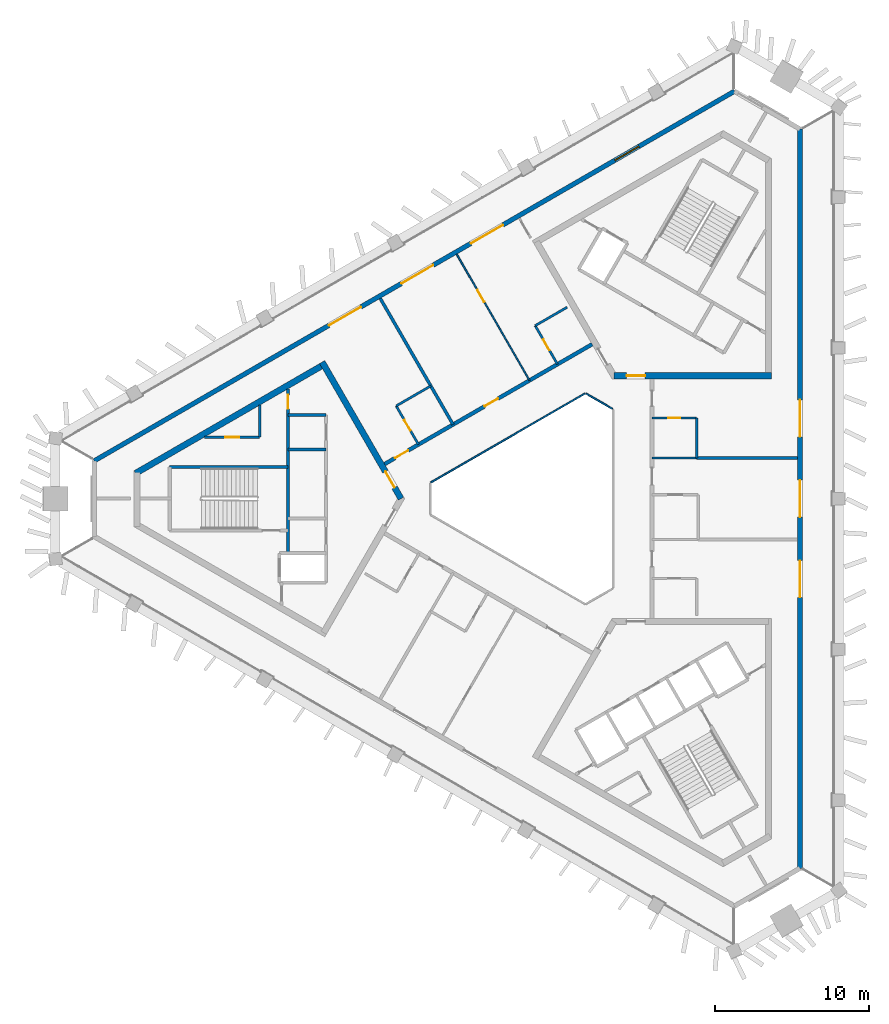
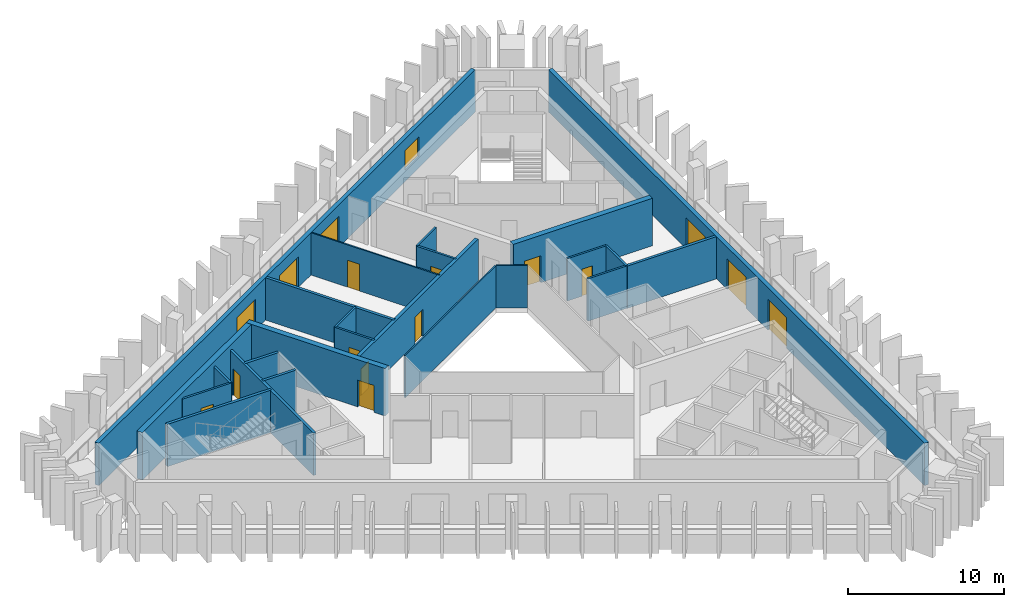
# One storey, part 4 of 10: 24 walls, 16 doors, 1 window, 17 openings.
"""IFC4 building model written with IfcOpenShell, lengths in metres."""

import ifcopenshell
import ifcopenshell.guid

model = None  # the IFC model being written
_history = None  # IfcOwnerHistory: only IFC2X3 demands one
_inside = {}  # id of a spatial element -> (the spatial element, [elements in it])
_under = {}  # id of a project, library or spatial element -> (it, [spatial elements below it])
_declared = {}  # id of a project -> (the project, [libraries it declares])
_typed = {}  # id of a type object -> (the type object, [elements of that type])
_made_of = {}  # id of a material, layer set ... -> (it, [elements and type objects made of it])


def new_model(schema):
    """Start an empty IFC model of exactly this schema.

    Asked for "IFC4X3", IfcOpenShell would pick the latest addendum, in which some entities
    have other attributes; the version numbers below select the first issue.
    IFC2X3 requires an IfcOwnerHistory on every rooted entity: one is made here for all.
    """
    global model, _history
    if schema == "IFC4X3":
        model = ifcopenshell.file(schema_version=(4, 3, 0, 0))
    else:
        model = ifcopenshell.file(schema=schema)
    _inside.clear()
    _under.clear()
    _declared.clear()
    _typed.clear()
    _made_of.clear()
    _history = None
    if model.schema == "IFC2X3":
        org = make("IfcOrganization", Name="unknown")
        user = make(
            "IfcPersonAndOrganization",
            ThePerson=make("IfcPerson", FamilyName="unknown"),
            TheOrganization=org,
        )
        app = make(
            "IfcApplication",
            ApplicationDeveloper=org,
            Version="unknown",
            ApplicationFullName="unknown",
            ApplicationIdentifier="unknown",
        )
        _history = make(
            "IfcOwnerHistory",
            OwningUser=user,
            OwningApplication=app,
            ChangeAction="ADDED",
            CreationDate=0,
        )
    return model


def make(cls, **values):
    """One entity of the class cls with the attributes given. An attribute that is None is left unset."""
    return model.create_entity(
        cls, **{name: value for name, value in values.items() if value is not None}
    )


def rooted(cls, **values):
    """An entity with a GlobalId (a new one), such as an element, a storey or a relation."""
    return make(cls, GlobalId=ifcopenshell.guid.new(), OwnerHistory=_history, **values)


def si_unit(unit_type, name, prefix=None):
    """IfcSIUnit, for example si_unit("LENGTHUNIT", "METRE", prefix="MILLI")."""
    return make("IfcSIUnit", UnitType=unit_type, Prefix=prefix, Name=name)


def assignment(units):
    """IfcUnitAssignment: the units of a project."""
    return None if units is None else make("IfcUnitAssignment", Units=units)


def point(xyz):
    """IfcCartesianPoint."""
    return None if xyz is None else make("IfcCartesianPoint", Coordinates=xyz)


def direction(xyz):
    """IfcDirection."""
    return None if xyz is None else make("IfcDirection", DirectionRatios=xyz)


def frame(location, z_axis=None, x_axis=None):
    """IfcAxis2Placement3D, a coordinate frame: its origin and axes. An axis left out is left unset."""
    return make(
        "IfcAxis2Placement3D",
        Location=point(location),
        Axis=direction(z_axis),
        RefDirection=direction(x_axis),
    )


def frame_2d(location, x_axis=None):
    """IfcAxis2Placement2D, a coordinate frame in the plane: its origin and x axis."""
    return make(
        "IfcAxis2Placement2D", Location=point(location), RefDirection=direction(x_axis)
    )


def origin():
    """The frame at (0, 0, 0) with its axes left unset."""
    return frame((0.0, 0.0, 0.0))


def place(relative_to, where):
    """IfcLocalPlacement: puts the frame where relative to a parent placement (None: the world)."""
    return make(
        "IfcLocalPlacement", PlacementRelTo=relative_to, RelativePlacement=where
    )


def context(
    kind, dimensions, precision=None, world=None, true_north=None, identifier=None
):
    """IfcGeometricRepresentationContext, for example the 3D "Model" context."""
    return make(
        "IfcGeometricRepresentationContext",
        ContextIdentifier=identifier,
        ContextType=kind,
        CoordinateSpaceDimension=dimensions,
        Precision=precision,
        WorldCoordinateSystem=world,
        TrueNorth=true_north,
    )


def subcontext(parent, identifier, kind, view, scale=None):
    """IfcGeometricRepresentationSubContext, for example "Body" below "Model"."""
    return make(
        "IfcGeometricRepresentationSubContext",
        ContextIdentifier=identifier,
        ContextType=kind,
        ParentContext=parent,
        TargetScale=scale,
        TargetView=view,
    )


def project(units=None, contexts=None):
    """IfcProject with its units and contexts."""
    return rooted(
        "IfcProject",
        Name="project",
        RepresentationContexts=contexts,
        UnitsInContext=assignment(units),
    )


def spatial(cls, under=None, at=None, **own):
    """A site, building, storey or space (cls), placed at a placement, below another one or the project."""
    s = rooted(cls, ObjectPlacement=at, **own)
    if under is not None:
        _under.setdefault(under.id(), (under, []))[1].append(s)
    return s


def profile(cls, at=None, kind="AREA", **sizes):
    """A parametric profile (cls). Its sizes go by their IFC names, for example OverallWidth=200.0."""
    return make(cls, ProfileType=kind, Position=at, **sizes)


def rectangle(**sizes):
    """IfcRectangleProfileDef."""
    return profile("IfcRectangleProfileDef", **sizes)


def extrude(swept, where, along, depth):
    """IfcExtrudedAreaSolid: the profile swept, set in the frame where, extruded along a direction by depth."""
    return make(
        "IfcExtrudedAreaSolid",
        SweptArea=swept,
        Position=where,
        ExtrudedDirection=direction(along),
        Depth=depth,
    )


def shape(context_of_items, identifier, shape_type, items):
    """IfcShapeRepresentation: the items that make up one representation, for example the "Body"."""
    return make(
        "IfcShapeRepresentation",
        ContextOfItems=context_of_items,
        RepresentationIdentifier=identifier,
        RepresentationType=shape_type,
        Items=items,
    )


def material(Name=None, Category=None):
    """IfcMaterial."""
    return make("IfcMaterial", Name=Name, Category=Category)


def layer(
    of_material, thickness, ventilated=None, Name=None, Category=None, Priority=None
):
    """IfcMaterialLayer: one layer of a wall or slab, of a material (None: an air gap)."""
    return make(
        "IfcMaterialLayer",
        Material=of_material,
        LayerThickness=thickness,
        IsVentilated=ventilated,
        Name=Name,
        Category=Category,
        Priority=Priority,
    )


def layer_set(layers, Name=None):
    """IfcMaterialLayerSet."""
    return make("IfcMaterialLayerSet", MaterialLayers=layers, LayerSetName=Name)


def made_of(thing, what):
    """Note that an element or type object is made of a material, layer set ...; save() writes the relation."""
    if what is not None:
        _made_of.setdefault(what.id(), (what, []))[1].append(thing)
    return thing


def type_object(cls, material=None, **own):
    """A type object (cls), such as IfcWallType, which elements share."""
    return made_of(rooted(cls, **own), material)


def element(
    cls,
    number,
    at=None,
    inside=None,
    cuts=None,
    type_object=None,
    material=None,
    context=None,
    identifier="Body",
    shape_type=None,
    held_by="IfcProductDefinitionShape",
    body=None,
    shapes=None,
    **own,
):
    """One element of the class cls, such as IfcWall. Its Tag is "e" and its number.

    at: its placement. inside: the storey or other place that contains it. cuts: it is an
    opening in that element (IfcRelVoidsElement). A single representation is given by context,
    identifier, shape_type and body (its items); several are given by shapes. held_by: the class
    of the entity that holds the representations. save() writes the other relations.
    """
    e = rooted(cls, Tag="e%d" % number, ObjectPlacement=at, **own)
    if body is not None:
        shapes = [shape(context, identifier, shape_type, body)]
    if shapes is not None:
        e.Representation = make(held_by, Representations=shapes)
    if inside is not None:
        _inside.setdefault(inside.id(), (inside, []))[1].append(e)
    if cuts is not None:
        rooted(
            "IfcRelVoidsElement", RelatingBuildingElement=cuts, RelatedOpeningElement=e
        )
    if type_object is not None:
        _typed.setdefault(type_object.id(), (type_object, []))[1].append(e)
    return made_of(e, material)


def fill(opening, filler):
    """IfcRelFillsElement: the door or window that sits in an opening."""
    return rooted(
        "IfcRelFillsElement",
        RelatingOpeningElement=opening,
        RelatedBuildingElement=filler,
    )


def aggregate(whole, parts):
    """IfcRelAggregates: a whole, such as a stair, and the parts it consists of."""
    return rooted("IfcRelAggregates", RelatingObject=whole, RelatedObjects=parts)


def save(model, path):
    """Write the relations noted so far, then the file.

    IfcRelAggregates (storeys below a building ...), IfcRelContainedInSpatialStructure (elements
    in a storey), IfcRelDefinesByType, IfcRelAssociatesMaterial and IfcRelDeclares: one each for
    every whole, place, type object, material and project.
    """
    for whole, parts in _under.values():
        aggregate(whole, parts)
    for where, things in _inside.values():
        rooted(
            "IfcRelContainedInSpatialStructure",
            RelatedElements=things,
            RelatingStructure=where,
        )
    for kind, things in _typed.values():
        rooted("IfcRelDefinesByType", RelatedObjects=things, RelatingType=kind)
    for what, things in _made_of.values():
        rooted("IfcRelAssociatesMaterial", RelatedObjects=things, RelatingMaterial=what)
    for by, libraries in _declared.values():
        rooted("IfcRelDeclares", RelatingContext=by, RelatedDefinitions=libraries)
    model.write(path)


model = new_model("IFC4")

# Units and contexts
model_context = context("Model", 3, precision=1e-05, world=origin(), true_north=direction((0.0, 1.0)))
body_context = subcontext(model_context, "Body", "Model", "MODEL_VIEW")
ifc_project = project(units=[si_unit("LENGTHUNIT", "METRE"), si_unit("AREAUNIT", "SQUARE_METRE"), si_unit("VOLUMEUNIT", "CUBIC_METRE"), si_unit("PLANEANGLEUNIT", "RADIAN"), si_unit("MASSUNIT", "GRAM", prefix="KILO")], contexts=[model_context])

# Site, building, storey
site_placement = place(None, origin())
site = spatial("IfcSite", under=ifc_project, at=site_placement, CompositionType="ELEMENT")
building_placement = place(site_placement, origin())
building = spatial("IfcBuilding", under=site, at=building_placement, Name="Jabali Bay Hotel Tower and Convention Centre", CompositionType="ELEMENT")
storey_placement = place(building_placement, frame((0.0, 0.0, 266.39990234375)))
storey = spatial("IfcBuildingStorey", under=building, at=storey_placement, Name="L65", CompositionType="ELEMENT", Elevation=266.39990234375)

# Walls
ifc_material_1 = material(Name="Fire-resistant glazing", Category="glass")
ifc_layer_1 = layer(ifc_material_1, 0.10009765625)
ifc_layer_set_1 = layer_set([ifc_layer_1], Name="Fire-resistant glazing")
wall_type_1 = type_object("IfcWallType", Name="Atrium glazed screen 100", PredefinedType="PARTITIONING", material=ifc_layer_set_1)
wall_1_placement = place(storey_placement, frame((79.530029296875, 85.84619140625, 0.0), z_axis=(0.0, 0.0, 1.0), x_axis=(-0.866041268327, 0.499972520799, 0.0)))
element("IfcWall", 1, at=wall_1_placement, inside=storey, type_object=wall_type_1, Name="Atrium screen 2 L65", PredefinedType="PARTITIONING", context=body_context, shape_type="SweptSolid", body=[
    extrude(rectangle(XDim=2.0, YDim=0.10009765625, at=frame_2d((1.0, 0.0))), origin(), (0.0, 0.0, 1.0), 3.300048828125),
])
wall_2_placement = place(storey_placement, frame((77.738037109375, 86.84619140625, 0.0), z_axis=(0.0, 0.0, 1.0), x_axis=(-0.866026658274, -0.499997827154, 0.0)))
element("IfcWall", 2, at=wall_2_placement, inside=storey, type_object=wall_type_1, Name="Atrium screen 3 L65", PredefinedType="PARTITIONING", context=body_context, shape_type="SweptSolid", body=[
    extrude(rectangle(XDim=11.58837890625, YDim=0.10009765625, at=frame_2d((5.794189453125, 0.0))), origin(), (0.0, 0.0, 1.0), 3.300048828125),
])

# Wall, opening, door
ifc_material_2 = material(Name="Fire-rated board partition")
ifc_layer_2 = layer(ifc_material_2, 0.14990234375)
ifc_layer_set_2 = layer_set([ifc_layer_2], Name="Fire-rated board partition")
wall_type_2 = type_object("IfcWallType", Name="Core room partition 150", PredefinedType="PARTITIONING", material=ifc_layer_set_2)
wall_3_placement = place(storey_placement, frame((56.570068359375, 84.0, 0.0), z_axis=(0.0, 0.0, 1.0), x_axis=(-1.0, 0.0, 0.0)))
wall_3 = element("IfcWall", 3, at=wall_3_placement, inside=storey, type_object=wall_type_2, Name="Core wall 0.1 L65", PredefinedType="PARTITIONING", context=body_context, shape_type="SweptSolid", body=[
    extrude(rectangle(XDim=3.601806640625, YDim=0.14990234375, at=frame_2d((1.80078125, 0.0))), origin(), (0.0, 0.0, 1.0), 3.300048828125),
])
opening_1_placement = place(wall_3_placement, frame((1.323486328125, 0.0, 0.0)))
opening_1 = element("IfcOpeningElement", 4, at=opening_1_placement, cuts=wall_3, Name="Opening D1430", PredefinedType="OPENING", context=body_context, shape_type="SweptSolid", body=[
    extrude(rectangle(XDim=0.89990234375, YDim=2.10009765625, at=frame_2d((0.449951171875, 1.050048828125))), frame((0.0, 0.08544921875, 0.0), z_axis=(0.0, -1.0, 0.0), x_axis=(1.0, 0.0, 0.0)), (0.0, 0.0, 1.0), 0.1708984375),
])
ifc_material_3 = material(Name="Fire-rated steel door", Category="steel")
door_type_1 = type_object("IfcDoorType", Name="Core room door 900 x 2100", OperationType="NOTDEFINED", PredefinedType="NOTDEFINED", material=ifc_material_3)
door_1_placement = place(opening_1_placement, origin())
door_1 = element("IfcDoor", 5, at=door_1_placement, inside=storey, type_object=door_type_1, Name="Core room door D1430", OperationType="SINGLE_SWING_LEFT", OverallHeight=2.10009765625, OverallWidth=0.89990234375, PredefinedType="NOTDEFINED", context=body_context, shape_type="SweptSolid", body=[
    extrude(rectangle(XDim=0.89990234375, YDim=2.10009765625, at=frame_2d((0.449951171875, 1.050048828125))), frame((0.0, 0.02490234375, 0.0), z_axis=(0.0, -1.0, 0.0), x_axis=(1.0, 0.0, 0.0)), (0.0, 0.0, 1.0), 0.050048828125),
])
fill(opening_1, door_1)

# Walls
wall_4_placement = place(storey_placement, frame((56.570068359375, 86.07958984375, 0.0), z_axis=(0.0, 0.0, 1.0), x_axis=(0.0, -1.0, 0.0)))
element("IfcWall", 6, at=wall_4_placement, inside=storey, type_object=wall_type_2, Name="Core wall 0.13 L65", PredefinedType="PARTITIONING", context=body_context, shape_type="SweptSolid", body=[
    extrude(rectangle(XDim=2.07958984375, YDim=0.14990234375, at=frame_2d((1.039794921875, 0.0))), origin(), (0.0, 0.0, 1.0), 3.300048828125),
])
ifc_material_4 = material(Name="Concrete C40", Category="concrete")
ifc_layer_3 = layer(ifc_material_4, 0.199951171875)
ifc_layer_set_3 = layer_set([ifc_layer_3], Name="Concrete C40")
wall_type_3 = type_object("IfcWallType", Name="Core stair wall 200", PredefinedType="SOLIDWALL", material=ifc_layer_set_3)
for number, where, z_axis, x_axis, name in (
    (7, (60.89990234375, 85.449951171875, 0.0), (0.0, 0.0, 1.0), (-1.0, 0.0, 0.0), "Core wall 0.0 L65"),
    (8, (60.89990234375, 83.199951171875, 0.0), (0.0, 0.0, 1.0), (-1.0, 0.0, 0.0), "Core wall 0.2 L65"),
):
    element("IfcWall", number, at=place(storey_placement, frame(where, z_axis=z_axis, x_axis=x_axis)), inside=storey, type_object=wall_type_3, Name=name, PredefinedType="SOLIDWALL", context=body_context, shape_type="SweptSolid", body=[
        extrude(rectangle(XDim=2.47998046875, YDim=0.199951171875, at=frame_2d((1.239990234375, 0.0))), origin(), (0.0, 0.0, 1.0), 3.300048828125),
    ])
wall_5_placement = place(storey_placement, frame((58.419921875, 82.074951171875, 0.0), z_axis=(0.0, 0.0, 1.0), x_axis=(-1.0, 0.0, 0.0)))
element("IfcWall", 9, at=wall_5_placement, inside=storey, type_object=wall_type_3, Name="Core wall 0.3 L65", PredefinedType="SOLIDWALL", context=body_context, shape_type="SweptSolid", body=[
    extrude(rectangle(XDim=7.699951171875, YDim=0.199951171875, at=frame_2d((3.85009765625, 0.0))), origin(), (0.0, 0.0, 1.0), 3.300048828125),
])

# Wall, opening, door
wall_6_placement = place(storey_placement, frame((58.419921875, 87.147705078125, 0.0), z_axis=(0.0, 0.0, 1.0), x_axis=(0.0, -1.0, 0.0)))
wall_6 = element("IfcWall", 10, at=wall_6_placement, inside=storey, type_object=wall_type_3, Name="Core wall 0.10 L65", PredefinedType="SOLIDWALL", context=body_context, shape_type="SweptSolid", body=[
    extrude(rectangle(XDim=10.69775390625, YDim=0.199951171875, at=frame_2d((5.348876953125, 0.0))), origin(), (0.0, 0.0, 1.0), 3.300048828125),
])
opening_2_placement = place(wall_6_placement, frame((0.398681640625, 0.0, 0.0)))
opening_2 = element("IfcOpeningElement", 11, at=opening_2_placement, cuts=wall_6, Name="Opening D1428", PredefinedType="OPENING", context=body_context, shape_type="SweptSolid", body=[
    extrude(rectangle(XDim=0.89990234375, YDim=2.10009765625, at=frame_2d((0.449951171875, 1.050048828125))), frame((0.0, 0.1103515625, 0.0), z_axis=(0.0, -1.0, 0.0), x_axis=(1.0, 0.0, 0.0)), (0.0, 0.0, 1.0), 0.220947265625),
])
door_type_2 = type_object("IfcDoorType", Name="Vestibule fire door 900 x 2100", OperationType="NOTDEFINED", PredefinedType="NOTDEFINED", material=ifc_material_3)
door_2_placement = place(opening_2_placement, origin())
door_2 = element("IfcDoor", 12, at=door_2_placement, inside=storey, type_object=door_type_2, Name="Vestibule fire door D1428", OperationType="SINGLE_SWING_LEFT", OverallHeight=2.10009765625, OverallWidth=0.89990234375, PredefinedType="NOTDEFINED", context=body_context, shape_type="SweptSolid", body=[
    extrude(rectangle(XDim=0.89990234375, YDim=2.10009765625, at=frame_2d((0.449951171875, 1.050048828125))), frame((0.0, 0.02490234375, 0.0), z_axis=(0.0, -1.0, 0.0), x_axis=(1.0, 0.0, 0.0)), (0.0, 0.0, 1.0), 0.050048828125),
])
fill(opening_2, door_2)

ifc_material_5 = material(Name="Concrete C60", Category="concrete")
ifc_layer_4 = layer(ifc_material_5, 0.39990234375)
ifc_layer_set_4 = layer_set([ifc_layer_4], Name="Concrete C60")
wall_type_4 = type_object("IfcWallType", Name="Core wall 400", PredefinedType="SHEAR", material=ifc_layer_set_4)
wall_7_placement = place(storey_placement, frame((65.76904296875, 80.0, 0.0), z_axis=(0.0, 0.0, 1.0), x_axis=(-0.50000177223, 0.866024380585, 0.0)))
wall_7 = element("IfcWall", 13, at=wall_7_placement, inside=storey, type_object=wall_type_4, Name="Core wall 1.1 L65", PredefinedType="SHEAR", context=body_context, shape_type="SweptSolid", body=[
    extrude(rectangle(XDim=10.2646484375, YDim=0.39990234375, at=frame_2d((5.13232421875, 0.0))), origin(), (0.0, 0.0, 1.0), 3.7001953125),
])
opening_3_placement = place(wall_7_placement, frame((0.83447265625, 0.0, 0.0)))
opening_3 = element("IfcOpeningElement", 14, at=opening_3_placement, cuts=wall_7, Name="Opening D1422", PredefinedType="OPENING", context=body_context, shape_type="SweptSolid", body=[
    extrude(rectangle(XDim=1.199951171875, YDim=2.10009765625, at=frame_2d((0.60009765625, 1.050048828125))), frame((0.0, 0.21044921875, 0.0), z_axis=(0.0, -1.0, 0.0), x_axis=(1.0, 0.0, 0.0)), (0.0, 0.0, 1.0), 0.4208984375),
])
door_type_3 = type_object("IfcDoorType", Name="Corridor end fire door 1200 x 2100", OperationType="NOTDEFINED", PredefinedType="NOTDEFINED", material=ifc_material_3)
door_3_placement = place(opening_3_placement, origin())
door_3 = element("IfcDoor", 15, at=door_3_placement, inside=storey, type_object=door_type_3, Name="Corridor end fire door D1422", OperationType="SINGLE_SWING_RIGHT", OverallHeight=2.10009765625, OverallWidth=1.199951171875, PredefinedType="NOTDEFINED", context=body_context, shape_type="SweptSolid", body=[
    extrude(rectangle(XDim=1.199951171875, YDim=2.10009765625, at=frame_2d((0.60009765625, 1.050048828125))), frame((0.0, 0.02490234375, 0.0), z_axis=(0.0, -1.0, 0.0), x_axis=(1.0, 0.0, 0.0)), (0.0, 0.0, 1.0), 0.050048828125),
])
fill(opening_3, door_3)

# Wall
wall_8_placement = place(storey_placement, frame((60.73681640625, 88.716064453125, 0.0), z_axis=(0.0, 0.0, 1.0), x_axis=(-0.866028812667, -0.499994095595, 0.0)))
element("IfcWall", 16, at=wall_8_placement, inside=storey, type_object=wall_type_4, Name="Core wall 1.2 L65", PredefinedType="SHEAR", context=body_context, shape_type="SweptSolid", body=[
    extrude(rectangle(XDim=14.133544921875, YDim=0.39990234375, at=frame_2d((7.06689453125, 0.0))), origin(), (0.0, 0.0, 1.0), 3.7001953125),
])

# Wall, opening, door
wall_9_placement = place(storey_placement, frame((79.615478515625, 87.994140625, 0.0), z_axis=(0.0, 0.0, 1.0), x_axis=(1.0, 0.0, 0.0)))
wall_9 = element("IfcWall", 17, at=wall_9_placement, inside=storey, type_object=wall_type_4, Name="Core wall 2.1 L65", PredefinedType="SHEAR", context=body_context, shape_type="SweptSolid", body=[
    extrude(rectangle(XDim=10.264404296875, YDim=0.39990234375, at=frame_2d((5.13232421875, 0.0))), origin(), (0.0, 0.0, 1.0), 3.7001953125),
])
opening_4_placement = place(wall_9_placement, frame((0.83447265625, 0.0, 0.0)))
opening_4 = element("IfcOpeningElement", 18, at=opening_4_placement, cuts=wall_9, Name="Opening D1431", PredefinedType="OPENING", context=body_context, shape_type="SweptSolid", body=[
    extrude(rectangle(XDim=1.199951171875, YDim=2.10009765625, at=frame_2d((0.60009765625, 1.050048828125))), frame((0.0, 0.21044921875, 0.0), z_axis=(0.0, -1.0, 0.0), x_axis=(1.0, 0.0, 0.0)), (0.0, 0.0, 1.0), 0.4208984375),
])
door_4_placement = place(opening_4_placement, origin())
door_4 = element("IfcDoor", 19, at=door_4_placement, inside=storey, type_object=door_type_3, Name="Corridor end fire door D1431", OperationType="SINGLE_SWING_RIGHT", OverallHeight=2.10009765625, OverallWidth=1.199951171875, PredefinedType="NOTDEFINED", context=body_context, shape_type="SweptSolid", body=[
    extrude(rectangle(XDim=1.199951171875, YDim=2.10009765625, at=frame_2d((0.60009765625, 1.050048828125))), frame((0.0, 0.02490234375, 0.0), z_axis=(0.0, -1.0, 0.0), x_axis=(1.0, 0.0, 0.0)), (0.0, 0.0, 1.0), 0.050048828125),
])
fill(opening_4, door_4)

# Wall, openings, doors
ifc_layer_5 = layer(ifc_material_5, 0.25)
ifc_layer_set_5 = layer_set([ifc_layer_5], Name="Concrete C60")
wall_type_5 = type_object("IfcWallType", Name="Corridor wall 250", PredefinedType="SHEAR", material=ifc_layer_set_5)
wall_10_placement = place(storey_placement, frame((78.199951171875, 90.0458984375, 0.0), z_axis=(0.0, 0.0, 1.0), x_axis=(-0.866026492143, -0.499998114903, 0.0)))
wall_10 = element("IfcWall", 20, at=wall_10_placement, inside=storey, type_object=wall_type_5, Name="Corridor wall 2 L65", PredefinedType="SHEAR", context=body_context, shape_type="SweptSolid", body=[
    extrude(rectangle(XDim=15.58837890625, YDim=0.25, at=frame_2d((7.794189453125, 0.0))), origin(), (0.0, 0.0, 1.0), 3.300048828125),
])
opening_5_placement = place(wall_10_placement, frame((7.072021484375, 0.0, 0.0)))
opening_5 = element("IfcOpeningElement", 21, at=opening_5_placement, cuts=wall_10, Name="Opening 6509", PredefinedType="OPENING", context=body_context, shape_type="SweptSolid", body=[
    extrude(rectangle(XDim=1.0, YDim=2.10009765625, at=frame_2d((0.5, 1.050048828125))), frame((0.0, 0.135498046875, 0.0), z_axis=(0.0, -1.0, 0.0), x_axis=(1.0, 0.0, 0.0)), (0.0, 0.0, 1.0), 0.27099609375),
])
opening_6_placement = place(wall_10_placement, frame((13.81640625, 0.0, 0.0)))
opening_6 = element("IfcOpeningElement", 22, at=opening_6_placement, cuts=wall_10, Name="Opening 6511", PredefinedType="OPENING", context=body_context, shape_type="SweptSolid", body=[
    extrude(rectangle(XDim=1.0, YDim=2.10009765625, at=frame_2d((0.5, 1.050048828125))), frame((0.0, 0.135498046875, 0.0), z_axis=(0.0, -1.0, 0.0), x_axis=(1.0, 0.0, 0.0)), (0.0, 0.0, 1.0), 0.27099609375),
])
ifc_material_6 = material(Name="Timber", Category="wood")
door_type_4 = type_object("IfcDoorType", Name="Guest room door 1000 x 2100", OperationType="NOTDEFINED", PredefinedType="NOTDEFINED", material=ifc_material_6)
door_5_placement = place(opening_5_placement, origin())
door_5 = element("IfcDoor", 23, at=door_5_placement, inside=storey, type_object=door_type_4, Name="Door 6509", OperationType="SINGLE_SWING_LEFT", OverallHeight=2.10009765625, OverallWidth=1.0, PredefinedType="NOTDEFINED", context=body_context, shape_type="SweptSolid", body=[
    extrude(rectangle(XDim=1.0, YDim=2.10009765625, at=frame_2d((0.5, 1.050048828125))), frame((0.0, 0.02490234375, 0.0), z_axis=(0.0, -1.0, 0.0), x_axis=(1.0, 0.0, 0.0)), (0.0, 0.0, 1.0), 0.050048828125),
])
fill(opening_5, door_5)
door_6_placement = place(opening_6_placement, origin())
door_6 = element("IfcDoor", 24, at=door_6_placement, inside=storey, type_object=door_type_4, Name="Door 6511", OperationType="SINGLE_SWING_RIGHT", OverallHeight=2.10009765625, OverallWidth=1.0, PredefinedType="NOTDEFINED", context=body_context, shape_type="SweptSolid", body=[
    extrude(rectangle(XDim=1.0, YDim=2.10009765625, at=frame_2d((0.5, 1.050048828125))), frame((0.0, 0.02490234375, 0.0), z_axis=(0.0, -1.0, 0.0), x_axis=(1.0, 0.0, 0.0)), (0.0, 0.0, 1.0), 0.050048828125),
])
fill(opening_6, door_6)

ifc_layer_6 = layer(ifc_material_4, 0.300048828125)
ifc_layer_set_6 = layer_set([ifc_layer_6], Name="Concrete C40")
wall_type_6 = type_object("IfcWallType", Name="External wall 300", PredefinedType="SOLIDWALL", material=ifc_layer_set_6)
wall_11_placement = place(storey_placement, frame((91.727294921875, 104.052001953125, 0.0), z_axis=(0.0, 0.0, 1.0), x_axis=(0.0, -1.0, 0.0)))
wall_11 = element("IfcWall", 25, at=wall_11_placement, inside=storey, type_object=wall_type_6, Name="External wall east face L65", PredefinedType="SOLIDWALL", context=body_context, shape_type="SweptSolid", body=[
    extrude(rectangle(XDim=48.10400390625, YDim=0.300048828125, at=frame_2d((24.052001953125, 0.0))), origin(), (0.0, 0.0, 1.0), 3.300048828125),
])
opening_7_placement = place(wall_11_placement, frame((22.85205078125, 0.0, 0.0)))
opening_7 = element("IfcOpeningElement", 26, at=opening_7_placement, cuts=wall_11, Name="Opening SD1", PredefinedType="OPENING", context=body_context, shape_type="SweptSolid", body=[
    extrude(rectangle(XDim=2.39990234375, YDim=2.39990234375, at=frame_2d((1.199951171875, 1.199951171875))), frame((0.0, 0.16064453125, 0.0), z_axis=(0.0, -1.0, 0.0), x_axis=(1.0, 0.0, 0.0)), (0.0, 0.0, 1.0), 0.321044921875),
])
opening_8_placement = place(wall_11_placement, frame((28.073974609375, 0.0, 0.0)))
opening_8 = element("IfcOpeningElement", 27, at=opening_8_placement, cuts=wall_11, Name="Opening SD1", PredefinedType="OPENING", context=body_context, shape_type="SweptSolid", body=[
    extrude(rectangle(XDim=2.39990234375, YDim=2.39990234375, at=frame_2d((1.199951171875, 1.199951171875))), frame((0.0, 0.16064453125, 0.0), z_axis=(0.0, -1.0, 0.0), x_axis=(1.0, 0.0, 0.0)), (0.0, 0.0, 1.0), 0.321044921875),
])
opening_9_placement = place(wall_11_placement, frame((17.6298828125, 0.0, 0.0)))
opening_9 = element("IfcOpeningElement", 28, at=opening_9_placement, cuts=wall_11, Name="Opening SD1", PredefinedType="OPENING", context=body_context, shape_type="SweptSolid", body=[
    extrude(rectangle(XDim=2.39990234375, YDim=2.39990234375, at=frame_2d((1.199951171875, 1.199951171875))), frame((0.0, 0.16064453125, 0.0), z_axis=(0.0, -1.0, 0.0), x_axis=(1.0, 0.0, 0.0)), (0.0, 0.0, 1.0), 0.321044921875),
])
ifc_material_7 = material(Name="Glass", Category="glass")
door_type_5 = type_object("IfcDoorType", Name="Loggia sliding door 2400 x 2400", OperationType="NOTDEFINED", PredefinedType="NOTDEFINED", material=ifc_material_7)
door_7_placement = place(opening_7_placement, origin())
door_7 = element("IfcDoor", 29, at=door_7_placement, inside=storey, type_object=door_type_5, Name="Loggia sliding door 6502", OperationType="SLIDING_TO_LEFT", OverallHeight=2.39990234375, OverallWidth=2.39990234375, PredefinedType="NOTDEFINED", context=body_context, shape_type="SweptSolid", body=[
    extrude(rectangle(XDim=2.39990234375, YDim=2.39990234375, at=frame_2d((1.199951171875, 1.199951171875))), frame((0.0, 0.02490234375, 0.0), z_axis=(0.0, -1.0, 0.0), x_axis=(1.0, 0.0, 0.0)), (0.0, 0.0, 1.0), 0.050048828125),
])
fill(opening_7, door_7)
door_8_placement = place(opening_8_placement, origin())
door_8 = element("IfcDoor", 30, at=door_8_placement, inside=storey, type_object=door_type_5, Name="Loggia sliding door 6501", OperationType="SLIDING_TO_RIGHT", OverallHeight=2.39990234375, OverallWidth=2.39990234375, PredefinedType="NOTDEFINED", context=body_context, shape_type="SweptSolid", body=[
    extrude(rectangle(XDim=2.39990234375, YDim=2.39990234375, at=frame_2d((1.199951171875, 1.199951171875))), frame((0.0, 0.02490234375, 0.0), z_axis=(0.0, -1.0, 0.0), x_axis=(1.0, 0.0, 0.0)), (0.0, 0.0, 1.0), 0.050048828125),
])
fill(opening_8, door_8)
door_9_placement = place(opening_9_placement, origin())
door_9 = element("IfcDoor", 31, at=door_9_placement, inside=storey, type_object=door_type_5, Name="Loggia sliding door 6503", OperationType="SLIDING_TO_LEFT", OverallHeight=2.39990234375, OverallWidth=2.39990234375, PredefinedType="NOTDEFINED", context=body_context, shape_type="SweptSolid", body=[
    extrude(rectangle(XDim=2.39990234375, YDim=2.39990234375, at=frame_2d((1.199951171875, 1.199951171875))), frame((0.0, 0.02490234375, 0.0), z_axis=(0.0, -1.0, 0.0), x_axis=(1.0, 0.0, 0.0)), (0.0, 0.0, 1.0), 0.050048828125),
])
fill(opening_9, door_9)

# Wall, openings, doors, window
wall_12_placement = place(storey_placement, frame((45.806640625, 82.460205078125, 0.0), z_axis=(0.0, 0.0, 1.0), x_axis=(0.866024833565, 0.500000987648, 0.0)))
wall_12 = element("IfcWall", 32, at=wall_12_placement, inside=storey, type_object=wall_type_6, Name="External wall north-west face L65", PredefinedType="SOLIDWALL", context=body_context, shape_type="SweptSolid", body=[
    extrude(rectangle(XDim=48.10400390625, YDim=0.300048828125, at=frame_2d((24.052001953125, 0.0))), origin(), (0.0, 0.0, 1.0), 3.300048828125),
])
opening_10_placement = place(wall_12_placement, frame((28.296142578125, 0.0, 0.0)))
opening_10 = element("IfcOpeningElement", 33, at=opening_10_placement, cuts=wall_12, Name="Opening SD1", PredefinedType="OPENING", context=body_context, shape_type="SweptSolid", body=[
    extrude(rectangle(XDim=2.39990234375, YDim=2.39990234375, at=frame_2d((1.199951171875, 1.199951171875))), frame((0.0, 0.16064453125, 0.0), z_axis=(0.0, -1.0, 0.0), x_axis=(1.0, 0.0, 0.0)), (0.0, 0.0, 1.0), 0.321044921875),
])
opening_11_placement = place(wall_12_placement, frame((23.073974609375, 0.0, 0.0)))
opening_11 = element("IfcOpeningElement", 34, at=opening_11_placement, cuts=wall_12, Name="Opening SD1", PredefinedType="OPENING", context=body_context, shape_type="SweptSolid", body=[
    extrude(rectangle(XDim=2.39990234375, YDim=2.39990234375, at=frame_2d((1.199951171875, 1.199951171875))), frame((0.0, 0.16064453125, 0.0), z_axis=(0.0, -1.0, 0.0), x_axis=(1.0, 0.0, 0.0)), (0.0, 0.0, 1.0), 0.321044921875),
])
opening_12_placement = place(wall_12_placement, frame((17.6298828125, 0.0, 0.0)))
opening_12 = element("IfcOpeningElement", 35, at=opening_12_placement, cuts=wall_12, Name="Opening SD1", PredefinedType="OPENING", context=body_context, shape_type="SweptSolid", body=[
    extrude(rectangle(XDim=2.39990234375, YDim=2.39990234375, at=frame_2d((1.199951171875, 1.199951171875))), frame((0.0, 0.16064453125, 0.0), z_axis=(0.0, -1.0, 0.0), x_axis=(1.0, 0.0, 0.0)), (0.0, 0.0, 1.0), 0.321044921875),
])
opening_13_placement = place(wall_12_placement, frame((39.118408203125, 0.0, 0.89990234375)))
opening_13 = element("IfcOpeningElement", 36, at=opening_13_placement, cuts=wall_12, Name="Opening W1", PredefinedType="OPENING", context=body_context, shape_type="SweptSolid", body=[
    extrude(rectangle(XDim=1.800048828125, YDim=1.5, at=frame_2d((0.89990234375, 0.75))), frame((0.0, 0.16064453125, 0.0), z_axis=(0.0, -1.0, 0.0), x_axis=(1.0, 0.0, 0.0)), (0.0, 0.0, 1.0), 0.321044921875),
])
door_10_placement = place(opening_10_placement, origin())
door_10 = element("IfcDoor", 37, at=door_10_placement, inside=storey, type_object=door_type_5, Name="Loggia sliding door 6504", OperationType="SLIDING_TO_LEFT", OverallHeight=2.39990234375, OverallWidth=2.39990234375, PredefinedType="NOTDEFINED", context=body_context, shape_type="SweptSolid", body=[
    extrude(rectangle(XDim=2.39990234375, YDim=2.39990234375, at=frame_2d((1.199951171875, 1.199951171875))), frame((0.0, 0.02490234375, 0.0), z_axis=(0.0, -1.0, 0.0), x_axis=(1.0, 0.0, 0.0)), (0.0, 0.0, 1.0), 0.050048828125),
])
fill(opening_10, door_10)
door_11_placement = place(opening_11_placement, origin())
door_11 = element("IfcDoor", 38, at=door_11_placement, inside=storey, type_object=door_type_5, Name="Loggia sliding door 6504", OperationType="SLIDING_TO_RIGHT", OverallHeight=2.39990234375, OverallWidth=2.39990234375, PredefinedType="NOTDEFINED", context=body_context, shape_type="SweptSolid", body=[
    extrude(rectangle(XDim=2.39990234375, YDim=2.39990234375, at=frame_2d((1.199951171875, 1.199951171875))), frame((0.0, 0.02490234375, 0.0), z_axis=(0.0, -1.0, 0.0), x_axis=(1.0, 0.0, 0.0)), (0.0, 0.0, 1.0), 0.050048828125),
])
fill(opening_11, door_11)
door_12_placement = place(opening_12_placement, origin())
door_12 = element("IfcDoor", 39, at=door_12_placement, inside=storey, type_object=door_type_5, Name="Loggia sliding door 6505", OperationType="SLIDING_TO_LEFT", OverallHeight=2.39990234375, OverallWidth=2.39990234375, PredefinedType="NOTDEFINED", context=body_context, shape_type="SweptSolid", body=[
    extrude(rectangle(XDim=2.39990234375, YDim=2.39990234375, at=frame_2d((1.199951171875, 1.199951171875))), frame((0.0, 0.02490234375, 0.0), z_axis=(0.0, -1.0, 0.0), x_axis=(1.0, 0.0, 0.0)), (0.0, 0.0, 1.0), 0.050048828125),
])
fill(opening_12, door_12)
window_type = type_object("IfcWindowType", Name="Window 1800 x 1500", PartitioningType="SINGLE_PANEL", PredefinedType="WINDOW", material=ifc_material_7)
window_placement = place(opening_13_placement, origin())
window = element("IfcWindow", 40, at=window_placement, inside=storey, type_object=window_type, Name="Window", OverallHeight=1.5, OverallWidth=1.800048828125, PartitioningType="SINGLE_PANEL", PredefinedType="WINDOW", context=body_context, shape_type="SweptSolid", body=[
    extrude(rectangle(XDim=1.800048828125, YDim=1.5, at=frame_2d((0.89990234375, 0.75))), frame((0.0, 0.030029296875, 0.0), z_axis=(0.0, -1.0, 0.0), x_axis=(1.0, 0.0, 0.0)), (0.0, 0.0, 1.0), 0.06005859375),
])
fill(opening_13, window)

# Wall, opening, door
ifc_material_8 = material(Name="Plasterboard on steel stud", Category="steel")
ifc_layer_7 = layer(ifc_material_8, 0.10009765625)
ifc_layer_set_7 = layer_set([ifc_layer_7], Name="Plasterboard on steel stud")
wall_type_7 = type_object("IfcWallType", Name="Partition 100 unit", PredefinedType="PARTITIONING", material=ifc_layer_set_7)
wall_13_placement = place(storey_placement, frame((69.390625, 95.904296875, 0.0), z_axis=(0.0, 0.0, 1.0), x_axis=(0.499998195608, -0.866026445548, 0.0)))
wall_13 = element("IfcWall", 41, at=wall_13_placement, inside=storey, type_object=wall_type_7, Name="Partition P02 L65 013", PredefinedType="PARTITIONING", context=body_context, shape_type="SweptSolid", body=[
    extrude(rectangle(XDim=9.47802734375, YDim=0.10009765625, at=frame_2d((4.739013671875, 0.0))), origin(), (0.0, 0.0, 1.0), 3.300048828125),
])
opening_14_placement = place(wall_13_placement, frame((2.68994140625, 0.0, 0.0)))
opening_14 = element("IfcOpeningElement", 42, at=opening_14_placement, cuts=wall_13, Name="Opening 6508", PredefinedType="OPENING", context=body_context, shape_type="SweptSolid", body=[
    extrude(rectangle(XDim=0.89990234375, YDim=2.10009765625, at=frame_2d((0.449951171875, 1.050048828125))), frame((0.0, 0.060546875, 0.0), z_axis=(0.0, -1.0, 0.0), x_axis=(1.0, 0.0, 0.0)), (0.0, 0.0, 1.0), 0.12109375),
])
door_type_6 = type_object("IfcDoorType", Name="Internal door 900 x 2100", OperationType="NOTDEFINED", PredefinedType="NOTDEFINED", material=ifc_material_6)
door_13_placement = place(opening_14_placement, origin())
door_13 = element("IfcDoor", 43, at=door_13_placement, inside=storey, type_object=door_type_6, Name="Door 6508", OperationType="SINGLE_SWING_RIGHT", OverallHeight=2.10009765625, OverallWidth=0.89990234375, PredefinedType="NOTDEFINED", context=body_context, shape_type="SweptSolid", body=[
    extrude(rectangle(XDim=0.89990234375, YDim=2.10009765625, at=frame_2d((0.449951171875, 1.050048828125))), frame((0.0, 0.02490234375, 0.0), z_axis=(0.0, -1.0, 0.0), x_axis=(1.0, 0.0, 0.0)), (0.0, 0.0, 1.0), 0.050048828125),
])
fill(opening_14, door_13)

# Wall
ifc_layer_8 = layer(ifc_material_8, 0.14990234375)
ifc_layer_set_8 = layer_set([ifc_layer_8], Name="Plasterboard on steel stud")
wall_type_8 = type_object("IfcWallType", Name="Partition 150 wet", PredefinedType="PARTITIONING", material=ifc_layer_set_8)
wall_14_placement = place(storey_placement, frame((85.0, 82.650146484375, 0.0), z_axis=(0.0, 0.0, 1.0), x_axis=(-1.0, 0.0, 0.0)))
element("IfcWall", 44, at=wall_14_placement, inside=storey, type_object=wall_type_8, Name="Partition P03 L65 009", PredefinedType="PARTITIONING", context=body_context, shape_type="SweptSolid", body=[
    extrude(rectangle(XDim=2.89990234375, YDim=0.14990234375, at=frame_2d((1.449951171875, 0.0))), origin(), (0.0, 0.0, 1.0), 3.300048828125),
])

# Wall, opening, door
wall_15_placement = place(storey_placement, frame((82.10009765625, 85.25, 0.0), z_axis=(0.0, 0.0, 1.0), x_axis=(1.0, 0.0, 0.0)))
wall_15 = element("IfcWall", 45, at=wall_15_placement, inside=storey, type_object=wall_type_8, Name="Partition P03 L65 010", PredefinedType="PARTITIONING", context=body_context, shape_type="SweptSolid", body=[
    extrude(rectangle(XDim=2.89990234375, YDim=0.14990234375, at=frame_2d((1.449951171875, 0.0))), origin(), (0.0, 0.0, 1.0), 3.300048828125),
])
opening_15_placement = place(wall_15_placement, frame((1.050048828125, 0.0, 0.0)))
opening_15 = element("IfcOpeningElement", 46, at=opening_15_placement, cuts=wall_15, Name="Opening 6505", PredefinedType="OPENING", context=body_context, shape_type="SweptSolid", body=[
    extrude(rectangle(XDim=0.800048828125, YDim=2.10009765625, at=frame_2d((0.39990234375, 1.050048828125))), frame((0.0, 0.08544921875, 0.0), z_axis=(0.0, -1.0, 0.0), x_axis=(1.0, 0.0, 0.0)), (0.0, 0.0, 1.0), 0.1708984375),
])
door_type_7 = type_object("IfcDoorType", Name="En-suite door 800 x 2100", OperationType="NOTDEFINED", PredefinedType="NOTDEFINED", material=ifc_material_6)
door_14_placement = place(opening_15_placement, origin())
door_14 = element("IfcDoor", 47, at=door_14_placement, inside=storey, type_object=door_type_7, Name="Door 6505", OperationType="SINGLE_SWING_RIGHT", OverallHeight=2.10009765625, OverallWidth=0.800048828125, PredefinedType="NOTDEFINED", context=body_context, shape_type="SweptSolid", body=[
    extrude(rectangle(XDim=0.800048828125, YDim=2.10009765625, at=frame_2d((0.39990234375, 1.050048828125))), frame((0.0, 0.02490234375, 0.0), z_axis=(0.0, -1.0, 0.0), x_axis=(1.0, 0.0, 0.0)), (0.0, 0.0, 1.0), 0.050048828125),
])
fill(opening_15, door_14)

# Wall
wall_16_placement = place(storey_placement, frame((85.0, 85.25, 0.0), z_axis=(0.0, 0.0, 1.0), x_axis=(0.0, -1.0, 0.0)))
element("IfcWall", 48, at=wall_16_placement, inside=storey, type_object=wall_type_8, Name="Partition P03 L65 011", PredefinedType="PARTITIONING", context=body_context, shape_type="SweptSolid", body=[
    extrude(rectangle(XDim=2.599853515625, YDim=0.14990234375, at=frame_2d((1.2998046875, 0.0))), origin(), (0.0, 0.0, 1.0), 3.300048828125),
])

# Wall, opening, door
wall_17_placement = place(storey_placement, frame((75.9482421875, 88.745849609375, 0.0), z_axis=(0.0, 0.0, 1.0), x_axis=(-0.499987231761, 0.866032775405, 0.0)))
wall_17 = element("IfcWall", 49, at=wall_17_placement, inside=storey, type_object=wall_type_8, Name="Partition P03 L65 014", PredefinedType="PARTITIONING", context=body_context, shape_type="SweptSolid", body=[
    extrude(rectangle(XDim=2.89990234375, YDim=0.14990234375, at=frame_2d((1.449951171875, 0.0))), origin(), (0.0, 0.0, 1.0), 3.300048828125),
])
opening_16_placement = place(wall_17_placement, frame((1.050048828125, 0.0, 0.0)))
opening_16 = element("IfcOpeningElement", 50, at=opening_16_placement, cuts=wall_17, Name="Opening 6507", PredefinedType="OPENING", context=body_context, shape_type="SweptSolid", body=[
    extrude(rectangle(XDim=0.800048828125, YDim=2.10009765625, at=frame_2d((0.39990234375, 1.050048828125))), frame((0.0, 0.08544921875, 0.0), z_axis=(0.0, -1.0, 0.0), x_axis=(1.0, 0.0, 0.0)), (0.0, 0.0, 1.0), 0.1708984375),
])
door_15_placement = place(opening_16_placement, origin())
door_15 = element("IfcDoor", 51, at=door_15_placement, inside=storey, type_object=door_type_7, Name="Door 6507", OperationType="SINGLE_SWING_RIGHT", OverallHeight=2.10009765625, OverallWidth=0.800048828125, PredefinedType="NOTDEFINED", context=body_context, shape_type="SweptSolid", body=[
    extrude(rectangle(XDim=0.800048828125, YDim=2.10009765625, at=frame_2d((0.39990234375, 1.050048828125))), frame((0.0, 0.02490234375, 0.0), z_axis=(0.0, -1.0, 0.0), x_axis=(1.0, 0.0, 0.0)), (0.0, 0.0, 1.0), 0.050048828125),
])
fill(opening_16, door_15)

# Wall
wall_18_placement = place(storey_placement, frame((74.498291015625, 91.25732421875, 0.0), z_axis=(0.0, 0.0, 1.0), x_axis=(0.866038271014, 0.499977712642, 0.0)))
element("IfcWall", 52, at=wall_18_placement, inside=storey, type_object=wall_type_8, Name="Partition P03 L65 015", PredefinedType="PARTITIONING", context=body_context, shape_type="SweptSolid", body=[
    extrude(rectangle(XDim=2.40087890625, YDim=0.14990234375, at=frame_2d((1.200439453125, 0.0))), origin(), (0.0, 0.0, 1.0), 3.300048828125),
])

# Wall, opening, door
wall_19_placement = place(storey_placement, frame((66.9033203125, 83.523681640625, 0.0), z_axis=(0.0, 0.0, 1.0), x_axis=(-0.499987231761, 0.866032775405, 0.0)))
wall_19 = element("IfcWall", 53, at=wall_19_placement, inside=storey, type_object=wall_type_8, Name="Partition P03 L65 018", PredefinedType="PARTITIONING", context=body_context, shape_type="SweptSolid", body=[
    extrude(rectangle(XDim=2.89990234375, YDim=0.14990234375, at=frame_2d((1.449951171875, 0.0))), origin(), (0.0, 0.0, 1.0), 3.300048828125),
])
opening_17_placement = place(wall_19_placement, frame((1.050048828125, 0.0, 0.0)))
opening_17 = element("IfcOpeningElement", 54, at=opening_17_placement, cuts=wall_19, Name="Opening 6510", PredefinedType="OPENING", context=body_context, shape_type="SweptSolid", body=[
    extrude(rectangle(XDim=0.800048828125, YDim=2.10009765625, at=frame_2d((0.39990234375, 1.050048828125))), frame((0.0, 0.08544921875, 0.0), z_axis=(0.0, -1.0, 0.0), x_axis=(1.0, 0.0, 0.0)), (0.0, 0.0, 1.0), 0.1708984375),
])
door_16_placement = place(opening_17_placement, origin())
door_16 = element("IfcDoor", 55, at=door_16_placement, inside=storey, type_object=door_type_7, Name="Door 6510", OperationType="SINGLE_SWING_LEFT", OverallHeight=2.10009765625, OverallWidth=0.800048828125, PredefinedType="NOTDEFINED", context=body_context, shape_type="SweptSolid", body=[
    extrude(rectangle(XDim=0.800048828125, YDim=2.10009765625, at=frame_2d((0.39990234375, 1.050048828125))), frame((0.0, 0.02490234375, 0.0), z_axis=(0.0, -1.0, 0.0), x_axis=(1.0, 0.0, 0.0)), (0.0, 0.0, 1.0), 0.050048828125),
])
fill(opening_17, door_16)

# Walls
wall_20_placement = place(storey_placement, frame((65.453369140625, 86.03515625, 0.0), z_axis=(0.0, 0.0, 1.0), x_axis=(0.866021400173, 0.500006934395, 0.0)))
element("IfcWall", 56, at=wall_20_placement, inside=storey, type_object=wall_type_8, Name="Partition P03 L65 019", PredefinedType="PARTITIONING", context=body_context, shape_type="SweptSolid", body=[
    extrude(rectangle(XDim=2.60009765625, YDim=0.14990234375, at=frame_2d((1.300048828125, 0.0))), origin(), (0.0, 0.0, 1.0), 3.300048828125),
])
ifc_layer_9 = layer(ifc_material_8, 0.199951171875)
ifc_layer_set_9 = layer_set([ifc_layer_9], Name="Plasterboard on steel stud")
wall_type_9 = type_object("IfcWallType", Name="Partition 200 party", PredefinedType="PARTITIONING", material=ifc_layer_set_9)
wall_21_placement = place(storey_placement, frame((91.578369140625, 82.650146484375, 0.0), z_axis=(0.0, 0.0, 1.0), x_axis=(-1.0, 0.0, 0.0)))
element("IfcWall", 57, at=wall_21_placement, inside=storey, type_object=wall_type_9, Name="Partition P01 L65 008", PredefinedType="PARTITIONING", context=body_context, shape_type="SweptSolid", body=[
    extrude(rectangle(XDim=6.578369140625, YDim=0.199951171875, at=frame_2d((3.2890625, 0.0))), origin(), (0.0, 0.0, 1.0), 3.300048828125),
])
wall_22_placement = place(storey_placement, frame((64.415771484375, 93.0322265625, 0.0), z_axis=(0.0, 0.0, 1.0), x_axis=(0.500006360488, -0.866021731524, 0.0)))
element("IfcWall", 58, at=wall_22_placement, inside=storey, type_object=wall_type_9, Name="Partition P01 L65 017", PredefinedType="PARTITIONING", context=body_context, shape_type="SweptSolid", body=[
    extrude(rectangle(XDim=9.478515625, YDim=0.199951171875, at=frame_2d((4.7392578125, 0.0))), origin(), (0.0, 0.0, 1.0), 3.300048828125),
])

save(model, "model.ifc")
